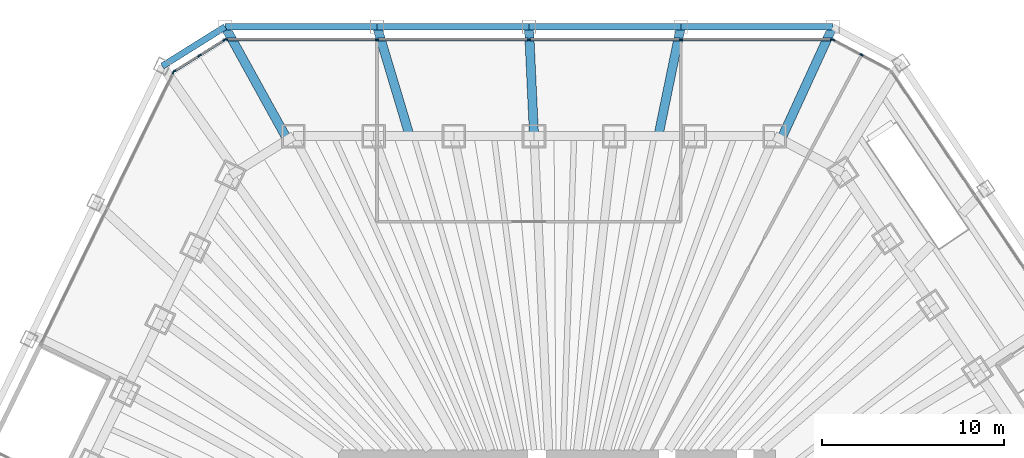
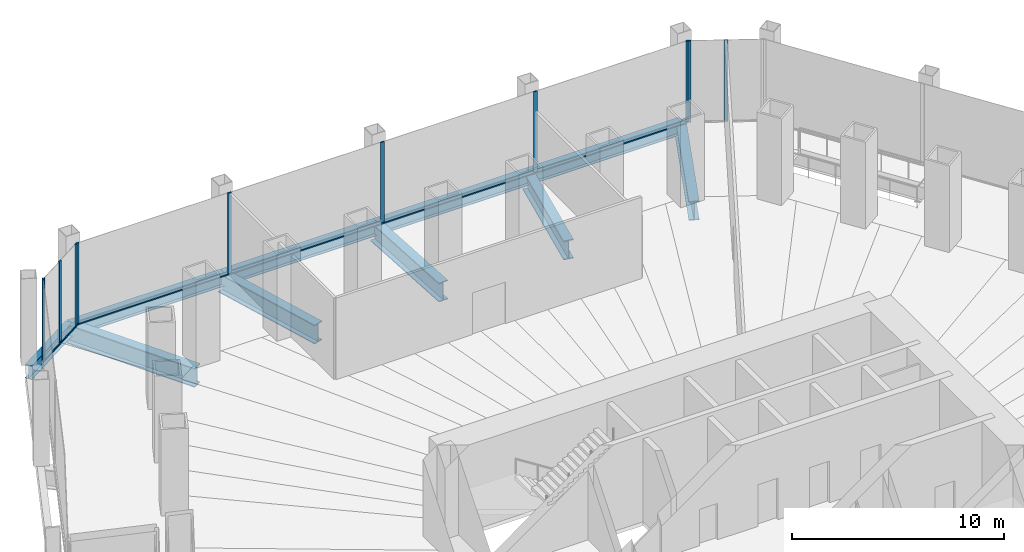
# One storey, part 10 of 18: 17 members, 10 beams, 4 elements without a shape of their own.
"""IFC4 building model written with IfcOpenShell, lengths in metres."""

from ifc_helpers import new_model, si_unit, direction, frame, origin, origin_2d, place, context, subcontext, project, spatial, rectangle, i_section, extrude, material, material_profile, profile_set, type_object, element, aggregate, save


model = new_model("IFC4")

# Units and contexts
model_context = context("Model", 3, precision=1e-05, world=origin(), true_north=direction((0.0, 1.0)))
body_context = subcontext(model_context, "Body", "Model", "MODEL_VIEW")
ifc_project = project(units=[si_unit("LENGTHUNIT", "METRE"), si_unit("AREAUNIT", "SQUARE_METRE"), si_unit("VOLUMEUNIT", "CUBIC_METRE"), si_unit("PLANEANGLEUNIT", "RADIAN"), si_unit("MASSUNIT", "GRAM", prefix="KILO")], contexts=[model_context])

# Site, building, storey
site_placement = place(None, origin())
site = spatial("IfcSite", under=ifc_project, at=site_placement, CompositionType="ELEMENT")
building_placement = place(site_placement, origin())
building = spatial("IfcBuilding", under=site, at=building_placement, Name="Qingtian Harvest Tower", CompositionType="ELEMENT")
storey_placement = place(building_placement, frame((0.0, 0.0, 12.0)))
storey = spatial("IfcBuildingStorey", under=building, at=storey_placement, Name="L02", CompositionType="ELEMENT", Elevation=12.0)

# Beams
ifc_material_1 = material(Name="Steel SM570MC", Category="steel")
ifc_material_profile_1 = material_profile(ifc_material_1, i_section(OverallWidth=0.5, OverallDepth=1.10009765625, WebThickness=0.02490234375, FlangeThickness=0.050048828125, at=origin_2d()), Name="H1100x500x25x50")
ifc_profile_set_1 = profile_set([ifc_material_profile_1], Name="Steel SM570MC")
beam_type_1 = type_object("IfcBeamType", Name="Floor beam FB6 H1100x500x25x50", PredefinedType="BEAM", material=ifc_profile_set_1)
beam_1_placement = place(storey_placement, frame((-18.220703125, 33.0, -0.800048828125), z_axis=(0.483365161377, -0.875418825915, 0.0), x_axis=(0.875418825915, 0.483365161377, 0.0)))
element("IfcBeam", 1, at=beam_1_placement, inside=storey, type_object=beam_type_1, Name="Podium floor beam FB6 N0", PredefinedType="BEAM", context=body_context, shape_type="SweptSolid", body=[
    extrude(i_section(OverallWidth=0.5, OverallDepth=1.10009765625, WebThickness=0.02490234375, FlangeThickness=0.050048828125, at=origin_2d()), origin(), (0.0, 0.0, 1.0), 7.08544921875),
])
beam_2_placement = place(storey_placement, frame((-9.87890625, 33.0, -0.800048828125), z_axis=(0.286782790718, -0.957995632009, 0.0), x_axis=(0.957995632009, 0.286782790718, 0.0)))
element("IfcBeam", 2, at=beam_2_placement, inside=storey, type_object=beam_type_1, Name="Podium floor beam FB6 N1", PredefinedType="BEAM", context=body_context, shape_type="SweptSolid", body=[
    extrude(i_section(OverallWidth=0.5, OverallDepth=1.10009765625, WebThickness=0.02490234375, FlangeThickness=0.050048828125, at=origin_2d()), origin(), (0.0, 0.0, 1.0), 6.26318359375),
])
beam_3_placement = place(storey_placement, frame((-1.537109375, 33.0, -0.800048828125), z_axis=(0.046539686109, -0.998916441759, 0.0), x_axis=(0.998916441759, 0.046539686109, 0.0)))
element("IfcBeam", 3, at=beam_3_placement, inside=storey, type_object=beam_type_1, Name="Podium floor beam FB6 N2", PredefinedType="BEAM", context=body_context, shape_type="SweptSolid", body=[
    extrude(i_section(OverallWidth=0.5, OverallDepth=1.10009765625, WebThickness=0.02490234375, FlangeThickness=0.050048828125, at=origin_2d()), origin(), (0.0, 0.0, 1.0), 6.006591796875),
])
beam_4_placement = place(storey_placement, frame((6.8046875, 33.0, -0.800048828125), z_axis=(-0.201967754187, -0.979392171844, 0.0), x_axis=(0.979392171844, -0.201967754187, 0.0)))
element("IfcBeam", 4, at=beam_4_placement, inside=storey, type_object=beam_type_1, Name="Podium floor beam FB6 N3", PredefinedType="BEAM", context=body_context, shape_type="SweptSolid", body=[
    extrude(i_section(OverallWidth=0.5, OverallDepth=1.10009765625, WebThickness=0.02490234375, FlangeThickness=0.050048828125, at=origin_2d()), origin(), (0.0, 0.0, 1.0), 6.126220703125),
])
beam_5_placement = place(storey_placement, frame((15.146484375, 33.0, -0.800048828125), z_axis=(-0.417153576737, -0.908836010189, 0.0), x_axis=(0.908836010189, -0.417153576737, 0.0)))
element("IfcBeam", 5, at=beam_5_placement, inside=storey, type_object=beam_type_1, Name="Podium floor beam FB6 N4", PredefinedType="BEAM", context=body_context, shape_type="SweptSolid", body=[
    extrude(i_section(OverallWidth=0.5, OverallDepth=1.10009765625, WebThickness=0.02490234375, FlangeThickness=0.050048828125, at=origin_2d()), origin(), (0.0, 0.0, 1.0), 6.80712890625),
])

# Curtain wall, members
ifc_material_2 = material(Name="Bronze-anodised aluminium curtain wall", Category="aluminium")
curtain_wall_type = type_object("IfcCurtainWallType", Name="Curtain wall CW1 podium shopfront", PredefinedType="USERDEFINED", material=ifc_material_2)
curtain_wall_1_placement = place(storey_placement, origin())
curtain_wall_1 = element("IfcCurtainWall", 6, at=curtain_wall_1_placement, inside=storey, type_object=curtain_wall_type, Name="Curtain wall CW1 L02 N0-3", ObjectType="RECESSED CURTAIN WALL", PredefinedType="USERDEFINED")
ifc_material_3 = material(Name="Bronze-anodised aluminium mullion", Category="aluminium")
ifc_material_profile_2 = material_profile(ifc_material_3, rectangle(XDim=0.06494140625, YDim=0.199951171875, at=origin_2d()), Name="AL 65x200")
ifc_profile_set_2 = profile_set([ifc_material_profile_2], Name="Bronze-anodised aluminium mullion")
member_type_1 = type_object("IfcMemberType", Name="Mullion CWM 65x200", PredefinedType="MULLION", material=ifc_profile_set_2)
member_1_placement = place(storey_placement, frame((-18.188232421875, 32.300048828125, 0.0), z_axis=(0.0, 0.0, 1.0), x_axis=(0.0, 1.0, 0.0)))
member_1 = element("IfcMember", 7, at=member_1_placement, type_object=member_type_1, Name="CW1 mullion 1", PredefinedType="MULLION", context=body_context, shape_type="SweptSolid", body=[
    extrude(rectangle(XDim=0.06494140625, YDim=0.199951171875, at=origin_2d()), origin(), (0.0, 0.0, 1.0), 4.699951171875),
])
member_2_placement = place(storey_placement, frame((-9.87890625, 32.300048828125, 0.0), z_axis=(0.0, 0.0, 1.0), x_axis=(0.0, 1.0, 0.0)))
member_2 = element("IfcMember", 8, at=member_2_placement, type_object=member_type_1, Name="CW1 mullion 2", PredefinedType="MULLION", context=body_context, shape_type="SweptSolid", body=[
    extrude(rectangle(XDim=0.06494140625, YDim=0.199951171875, at=origin_2d()), origin(), (0.0, 0.0, 1.0), 4.699951171875),
])
member_3_placement = place(storey_placement, frame((-1.537109375, 32.300048828125, 0.0), z_axis=(0.0, 0.0, 1.0), x_axis=(0.0, 1.0, 0.0)))
member_3 = element("IfcMember", 9, at=member_3_placement, type_object=member_type_1, Name="CW1 mullion 3", PredefinedType="MULLION", context=body_context, shape_type="SweptSolid", body=[
    extrude(rectangle(XDim=0.06494140625, YDim=0.199951171875, at=origin_2d()), origin(), (0.0, 0.0, 1.0), 4.699951171875),
])
member_4_placement = place(storey_placement, frame((6.8046875, 32.300048828125, 0.0), z_axis=(0.0, 0.0, 1.0), x_axis=(0.0, 1.0, 0.0)))
member_4 = element("IfcMember", 10, at=member_4_placement, type_object=member_type_1, Name="CW1 mullion 4", PredefinedType="MULLION", context=body_context, shape_type="SweptSolid", body=[
    extrude(rectangle(XDim=0.06494140625, YDim=0.199951171875, at=origin_2d()), origin(), (0.0, 0.0, 1.0), 4.699951171875),
])
member_5_placement = place(storey_placement, frame((15.114013671875, 32.300048828125, 0.0), z_axis=(0.0, 0.0, 1.0), x_axis=(0.0, 1.0, 0.0)))
member_5 = element("IfcMember", 11, at=member_5_placement, type_object=member_type_1, Name="CW1 mullion 5", PredefinedType="MULLION", context=body_context, shape_type="SweptSolid", body=[
    extrude(rectangle(XDim=0.06494140625, YDim=0.199951171875, at=origin_2d()), origin(), (0.0, 0.0, 1.0), 4.699951171875),
])

curtain_wall_2_placement = place(storey_placement, origin())
curtain_wall_2 = element("IfcCurtainWall", 12, at=curtain_wall_2_placement, inside=storey, type_object=curtain_wall_type, Name="Curtain wall CW1 L02 NC", ObjectType="RECESSED CURTAIN WALL", PredefinedType="USERDEFINED")
member_6_placement = place(storey_placement, frame((15.175048828125, 32.28466796875, 0.0), z_axis=(0.0, 0.0, 1.0), x_axis=(0.469471562786, 0.882947592859, 0.0)))
member_6 = element("IfcMember", 13, at=member_6_placement, type_object=member_type_1, Name="CW1 mullion 1", PredefinedType="MULLION", context=body_context, shape_type="SweptSolid", body=[
    extrude(rectangle(XDim=0.06494140625, YDim=0.199951171875, at=origin_2d()), origin(), (0.0, 0.0, 1.0), 4.699951171875),
])
member_7_placement = place(storey_placement, frame((16.727294921875, 31.45947265625, 0.0), z_axis=(0.0, 0.0, 1.0), x_axis=(0.469471562786, 0.882947592859, 0.0)))
member_7 = element("IfcMember", 14, at=member_7_placement, type_object=member_type_1, Name="CW1 mullion 2", PredefinedType="MULLION", context=body_context, shape_type="SweptSolid", body=[
    extrude(rectangle(XDim=0.06494140625, YDim=0.199951171875, at=origin_2d()), origin(), (0.0, 0.0, 1.0), 4.699951171875),
])
aggregate(curtain_wall_2, [member_6, member_7])

# Curtain wall, member
curtain_wall_3_placement = place(storey_placement, origin())
curtain_wall_3 = element("IfcCurtainWall", 15, at=curtain_wall_3_placement, inside=storey, type_object=curtain_wall_type, Name="Curtain wall CW1 L02 NW2-3", ObjectType="RECESSED CURTAIN WALL", PredefinedType="USERDEFINED")
member_8_placement = place(storey_placement, frame((-21.057861328125, 30.5068359375, 0.0), z_axis=(0.0, 0.0, 1.0), x_axis=(-0.898794046299, 0.438371146789, 0.0)))
member_8 = element("IfcMember", 16, at=member_8_placement, type_object=member_type_1, Name="CW1 mullion 3", PredefinedType="MULLION", context=body_context, shape_type="SweptSolid", body=[
    extrude(rectangle(XDim=0.06494140625, YDim=0.199951171875, at=origin_2d()), origin(), (0.0, 0.0, 1.0), 4.699951171875),
])
aggregate(curtain_wall_3, [member_8])

# Curtain wall, members
curtain_wall_4_placement = place(storey_placement, origin())
curtain_wall_4 = element("IfcCurtainWall", 17, at=curtain_wall_4_placement, inside=storey, type_object=curtain_wall_type, Name="Curtain wall CW1 L02 NWC", ObjectType="RECESSED CURTAIN WALL", PredefinedType="USERDEFINED")
member_9_placement = place(storey_placement, frame((-21.01611328125, 30.55322265625, 0.0), z_axis=(0.0, 0.0, 1.0), x_axis=(-0.529919264233, 0.848048096156, 0.0)))
member_9 = element("IfcMember", 18, at=member_9_placement, type_object=member_type_1, Name="CW1 mullion 1", PredefinedType="MULLION", context=body_context, shape_type="SweptSolid", body=[
    extrude(rectangle(XDim=0.06494140625, YDim=0.199951171875, at=origin_2d()), origin(), (0.0, 0.0, 1.0), 4.699951171875),
])
member_10_placement = place(storey_placement, frame((-19.632080078125, 31.41796875, 0.0), z_axis=(0.0, 0.0, 1.0), x_axis=(-0.529919264233, 0.848048096156, 0.0)))
member_10 = element("IfcMember", 19, at=member_10_placement, type_object=member_type_1, Name="CW1 mullion 2", PredefinedType="MULLION", context=body_context, shape_type="SweptSolid", body=[
    extrude(rectangle(XDim=0.06494140625, YDim=0.199951171875, at=origin_2d()), origin(), (0.0, 0.0, 1.0), 4.699951171875),
])
member_11_placement = place(storey_placement, frame((-18.248291015625, 32.28271484375, 0.0), z_axis=(0.0, 0.0, 1.0), x_axis=(-0.529919264233, 0.848048096156, 0.0)))
member_11 = element("IfcMember", 20, at=member_11_placement, type_object=member_type_1, Name="CW1 mullion 3", PredefinedType="MULLION", context=body_context, shape_type="SweptSolid", body=[
    extrude(rectangle(XDim=0.06494140625, YDim=0.199951171875, at=origin_2d()), origin(), (0.0, 0.0, 1.0), 4.699951171875),
])

# Beams
ifc_material_4 = material(Name="Steel SN490B", Category="steel")
ifc_material_profile_3 = material_profile(ifc_material_4, i_section(OverallWidth=0.35009765625, OverallDepth=0.800048828125, WebThickness=0.01611328125, FlangeThickness=0.028076171875, at=origin_2d()), Name="H800x350x16x28")
ifc_profile_set_3 = profile_set([ifc_material_profile_3], Name="Steel SN490B")
beam_type_2 = type_object("IfcBeamType", Name="Podium beam PB1 H800x350x16x28", PredefinedType="BEAM", material=ifc_profile_set_3)
for number, where, z_axis, x_axis, name in (
    (21, (-18.220703125, 33.0, -0.64990234375), (1.0, 0.0, 0.0), (0.0, 1.0, 0.0), "Podium edge beam PB1 N0"),
    (22, (-9.87890625, 33.0, -0.64990234375), (1.0, 0.0, 0.0), (0.0, 1.0, 0.0), "Podium edge beam PB1 N1"),
    (23, (-1.537109375, 33.0, -0.64990234375), (1.0, 0.0, 0.0), (0.0, 1.0, 0.0), "Podium edge beam PB1 N2"),
    (24, (6.8046875, 33.0, -0.64990234375), (1.0, 0.0, 0.0), (0.0, 1.0, 0.0), "Podium edge beam PB1 N3"),
):
    element("IfcBeam", number, at=place(storey_placement, frame(where, z_axis=z_axis, x_axis=x_axis)), inside=storey, type_object=beam_type_2, Name=name, PredefinedType="BEAM", context=body_context, shape_type="SweptSolid", body=[
        extrude(i_section(OverallWidth=0.35009765625, OverallDepth=0.800048828125, WebThickness=0.01611328125, FlangeThickness=0.028076171875, at=origin_2d()), origin(), (0.0, 0.0, 1.0), 8.341796875),
    ])
beam_6_placement = place(storey_placement, frame((-21.6728515625, 30.8427734375, -0.64990234375), z_axis=(0.848038733752, 0.529934246919, 0.0), x_axis=(-0.529934246919, 0.848038733752, 0.0)))
element("IfcBeam", 25, at=beam_6_placement, inside=storey, type_object=beam_type_2, Name="Podium edge beam PB1 NW4", PredefinedType="BEAM", context=body_context, shape_type="SweptSolid", body=[
    extrude(i_section(OverallWidth=0.35009765625, OverallDepth=0.800048828125, WebThickness=0.01611328125, FlangeThickness=0.028076171875, at=origin_2d()), origin(), (0.0, 0.0, 1.0), 4.07080078125),
])

# Member
ifc_material_5 = material(Name="Bronze-anodised aluminium transom", Category="aluminium")
ifc_material_profile_4 = material_profile(ifc_material_5, rectangle(XDim=0.14990234375, YDim=0.06494140625, at=origin_2d()), Name="AL 65x150")
ifc_profile_set_4 = profile_set([ifc_material_profile_4], Name="Bronze-anodised aluminium transom")
member_type_2 = type_object("IfcMemberType", Name="Transom CWT 65x150", PredefinedType="USERDEFINED", material=ifc_profile_set_4)
member_12_placement = place(storey_placement, frame((-18.15576171875, 32.300048828125, 0.032470703125), z_axis=(1.0, 0.0, 0.0), x_axis=(0.0, 1.0, 0.0)))
member_12 = element("IfcMember", 26, at=member_12_placement, type_object=member_type_2, Name="CW1 transom 1.1", ObjectType="TRANSOM", PredefinedType="USERDEFINED", context=body_context, shape_type="SweptSolid", body=[
    extrude(rectangle(XDim=0.14990234375, YDim=0.06494140625, at=origin_2d()), origin(), (0.0, 0.0, 1.0), 8.244384765625),
])

member_13_placement = place(storey_placement, frame((-9.846435546875, 32.300048828125, 0.032470703125), z_axis=(1.0, 0.0, 0.0), x_axis=(0.0, 1.0, 0.0)))
member_13 = element("IfcMember", 27, at=member_13_placement, type_object=member_type_2, Name="CW1 transom 2.1", ObjectType="TRANSOM", PredefinedType="USERDEFINED", context=body_context, shape_type="SweptSolid", body=[
    extrude(rectangle(XDim=0.14990234375, YDim=0.06494140625, at=origin_2d()), origin(), (0.0, 0.0, 1.0), 8.27685546875),
])

member_14_placement = place(storey_placement, frame((-1.504638671875, 32.300048828125, 0.032470703125), z_axis=(1.0, 0.0, 0.0), x_axis=(0.0, 1.0, 0.0)))
member_14 = element("IfcMember", 28, at=member_14_placement, type_object=member_type_2, Name="CW1 transom 3.1", ObjectType="TRANSOM", PredefinedType="USERDEFINED", context=body_context, shape_type="SweptSolid", body=[
    extrude(rectangle(XDim=0.14990234375, YDim=0.06494140625, at=origin_2d()), origin(), (0.0, 0.0, 1.0), 8.27685546875),
])

member_15_placement = place(storey_placement, frame((6.837158203125, 32.300048828125, 0.032470703125), z_axis=(1.0, 0.0, 0.0), x_axis=(0.0, 1.0, 0.0)))
member_15 = element("IfcMember", 29, at=member_15_placement, type_object=member_type_2, Name="CW1 transom 4.1", ObjectType="TRANSOM", PredefinedType="USERDEFINED", context=body_context, shape_type="SweptSolid", body=[
    extrude(rectangle(XDim=0.14990234375, YDim=0.06494140625, at=origin_2d()), origin(), (0.0, 0.0, 1.0), 8.244140625),
])

aggregate(curtain_wall_1, [member_1, member_2, member_3, member_4, member_5, member_12, member_13, member_14, member_15])

member_16_placement = place(storey_placement, frame((-20.988525390625, 30.570556640625, 0.032470703125), z_axis=(0.848059570903, 0.529900900357, 0.0), x_axis=(-0.529900900357, 0.848059570903, 0.0)))
member_16 = element("IfcMember", 30, at=member_16_placement, type_object=member_type_2, Name="CW1 transom 1.1", ObjectType="TRANSOM", PredefinedType="USERDEFINED", context=body_context, shape_type="SweptSolid", body=[
    extrude(rectangle(XDim=0.14990234375, YDim=0.06494140625, at=origin_2d()), origin(), (0.0, 0.0, 1.0), 1.56689453125),
])

member_17_placement = place(storey_placement, frame((-19.6044921875, 31.435302734375, 0.032470703125), z_axis=(0.848015812303, 0.529970925697, 0.0), x_axis=(-0.529970925697, 0.848015812303, 0.0)))
member_17 = element("IfcMember", 31, at=member_17_placement, type_object=member_type_2, Name="CW1 transom 2.1", ObjectType="TRANSOM", PredefinedType="USERDEFINED", context=body_context, shape_type="SweptSolid", body=[
    extrude(rectangle(XDim=0.14990234375, YDim=0.06494140625, at=origin_2d()), origin(), (0.0, 0.0, 1.0), 1.566650390625),
])

aggregate(curtain_wall_4, [member_9, member_10, member_11, member_16, member_17])

save(model, "model.ifc")
